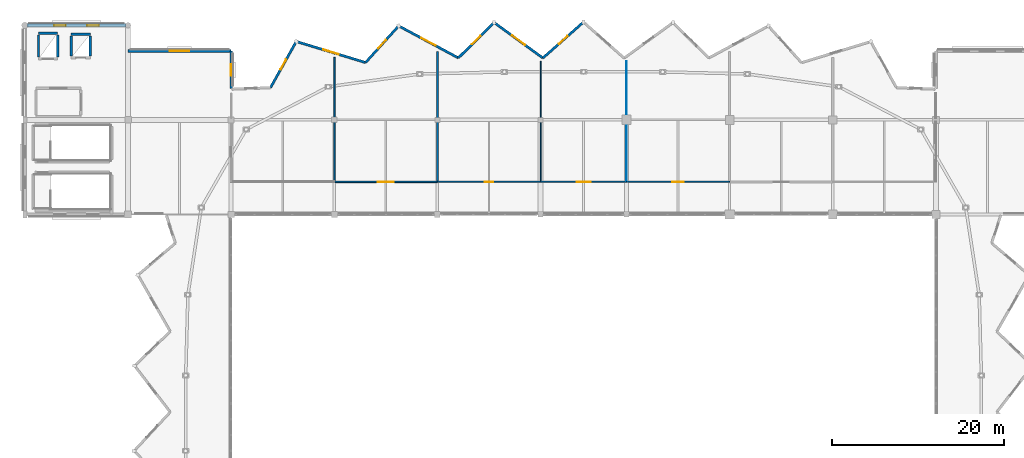
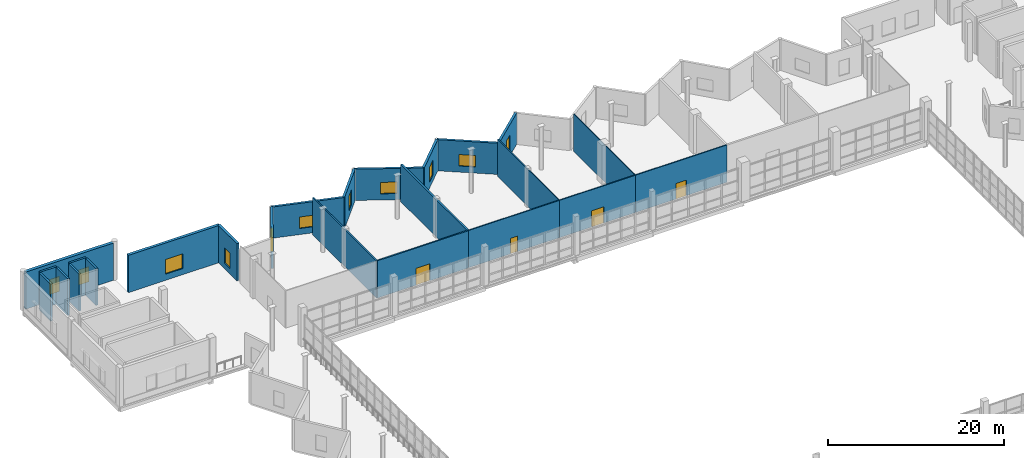
# One storey, part 42 of 49: 24 walls, 11 windows, 4 doors, 15 openings.
"""IFC4 building model written with IfcOpenShell, lengths in metres."""

from ifc_helpers import new_model, si_unit, direction, frame, frame_2d, origin, place, context, subcontext, project, spatial, rectangle, extrude, material, layer, layer_set, type_object, element, fill, save


model = new_model("IFC4")

# Units and contexts
model_context = context("Model", 3, precision=1e-05, world=origin(), true_north=direction((0.0, 1.0)))
body_context = subcontext(model_context, "Body", "Model", "MODEL_VIEW")
ifc_project = project(units=[si_unit("LENGTHUNIT", "METRE"), si_unit("AREAUNIT", "SQUARE_METRE"), si_unit("VOLUMEUNIT", "CUBIC_METRE"), si_unit("PLANEANGLEUNIT", "RADIAN"), si_unit("MASSUNIT", "GRAM", prefix="KILO")], contexts=[model_context])

# Site, building, storey
site_placement = place(None, origin())
site = spatial("IfcSite", under=ifc_project, at=site_placement, CompositionType="ELEMENT")
building_placement = place(site_placement, origin())
building = spatial("IfcBuilding", under=site, at=building_placement, Name="Luwafu Chhajja Arena", CompositionType="ELEMENT")
storey_placement = place(building_placement, frame((0.0, 0.0, 24.300048828125)))
storey = spatial("IfcBuildingStorey", under=building, at=storey_placement, Name="L05", CompositionType="ELEMENT", Elevation=24.300048828125)

# Wall
ifc_material_1 = material(Name="Concrete blockwork masonry", Category="masonry")
ifc_layer_1 = layer(ifc_material_1, 0.239990234375, Name="Concrete blockwork masonry")
ifc_layer_set_1 = layer_set([ifc_layer_1], Name="Concrete blockwork masonry")
wall_type_1 = type_object("IfcWallType", Name="Compartment Masonry Partition 240", PredefinedType="PARTITIONING", material=ifc_layer_set_1)
wall_1_placement = place(storey_placement, frame((82.0, 80.800048828125, 0.0), z_axis=(0.0, 0.0, 1.0), x_axis=(0.0, 1.0, 0.0)))
element("IfcWall", 1, at=wall_1_placement, inside=storey, type_object=wall_type_1, Name="L05 Internal Partition 0365", PredefinedType="PARTITIONING", context=body_context, shape_type="SweptSolid", body=[
    extrude(rectangle(XDim=15.184326171875, YDim=0.239990234375, at=frame_2d((7.59228515625, 0.0))), origin(), (0.0, 0.0, 1.0), 5.179931640625),
])

# Wall, opening, door
ifc_material_2 = material(Name="Lightweight blockwork partition", Category="masonry")
ifc_layer_2 = layer(ifc_material_2, 0.139892578125, Name="Lightweight blockwork partition")
ifc_layer_set_2 = layer_set([ifc_layer_2], Name="Lightweight blockwork partition")
wall_type_2 = type_object("IfcWallType", Name="Concourse Kiosk Partition 140", PredefinedType="PARTITIONING", material=ifc_layer_set_2)
wall_2_placement = place(storey_placement, frame((82.0, 80.800048828125, 0.0), z_axis=(0.0, 0.0, 1.0), x_axis=(1.0, 0.0, 0.0)))
wall_2 = element("IfcWall", 2, at=wall_2_placement, inside=storey, type_object=wall_type_2, Name="L05 Internal Partition 0352", PredefinedType="PARTITIONING", context=body_context, shape_type="SweptSolid", body=[
    extrude(rectangle(XDim=12.0, YDim=0.139892578125, at=frame_2d((6.0, 0.0))), origin(), (0.0, 0.0, 1.0), 5.179931640625),
])
opening_1_placement = place(wall_2_placement, frame((5.52001953125, 0.0, 0.0)))
opening_1 = element("IfcOpeningElement", 3, at=opening_1_placement, cuts=wall_2, Name="Opening DR-22", PredefinedType="OPENING", context=body_context, shape_type="SweptSolid", body=[
    extrude(rectangle(XDim=0.9599609375, YDim=2.14990234375, at=frame_2d((0.47998046875, 1.074951171875))), frame((0.0, 0.079833984375, 0.0), z_axis=(0.0, -1.0, 0.0), x_axis=(1.0, 0.0, 0.0)), (0.0, 0.0, 1.0), 0.159912109375),
])
ifc_material_3 = material(Name="Hardwood flush office door", Category="wood")
door_type_1 = type_object("IfcDoorType", Name="DR-22", OperationType="NOTDEFINED", PredefinedType="DOOR", material=ifc_material_3)
door_1_placement = place(opening_1_placement, origin())
door_1 = element("IfcDoor", 4, at=door_1_placement, inside=storey, type_object=door_type_1, Name="L05 Interior Door L05-D028", OperationType="SINGLE_SWING_RIGHT", OverallHeight=2.14990234375, OverallWidth=0.9599609375, PredefinedType="DOOR", context=body_context, shape_type="SweptSolid", body=[
    extrude(rectangle(XDim=0.9599609375, YDim=2.14990234375, at=frame_2d((0.47998046875, 1.074951171875))), frame((0.0, 0.02490234375, 0.0), z_axis=(0.0, -1.0, 0.0), x_axis=(1.0, 0.0, 0.0)), (0.0, 0.0, 1.0), 0.050048828125),
])
fill(opening_1, door_1)

wall_3_placement = place(storey_placement, frame((94.0, 80.800048828125, 0.0), z_axis=(0.0, 0.0, 1.0), x_axis=(1.0, 0.0, 0.0)))
wall_3 = element("IfcWall", 5, at=wall_3_placement, inside=storey, type_object=wall_type_2, Name="L05 Internal Partition 0353", PredefinedType="PARTITIONING", context=body_context, shape_type="SweptSolid", body=[
    extrude(rectangle(XDim=10.0, YDim=0.139892578125, at=frame_2d((5.0, 0.0))), origin(), (0.0, 0.0, 1.0), 5.179931640625),
])
opening_2_placement = place(wall_3_placement, frame((4.18994140625, 0.0, 0.0)))
opening_2 = element("IfcOpeningElement", 6, at=opening_2_placement, cuts=wall_3, Name="Opening DR-23", PredefinedType="OPENING", context=body_context, shape_type="SweptSolid", body=[
    extrude(rectangle(XDim=1.6201171875, YDim=2.25, at=frame_2d((0.81005859375, 1.125))), frame((0.0, 0.079833984375, 0.0), z_axis=(0.0, -1.0, 0.0), x_axis=(1.0, 0.0, 0.0)), (0.0, 0.0, 1.0), 0.159912109375),
])
ifc_material_4 = material(Name="Hardwood flush glazed double door", Category="wood")
door_type_2 = type_object("IfcDoorType", Name="DR-23", OperationType="DOUBLE_DOOR_SINGLE_SWING", PredefinedType="DOOR", material=ifc_material_4)
door_2_placement = place(opening_2_placement, origin())
door_2 = element("IfcDoor", 7, at=door_2_placement, inside=storey, type_object=door_type_2, Name="L05 Interior Door L05-D029", OperationType="DOUBLE_DOOR_SINGLE_SWING", OverallHeight=2.25, OverallWidth=1.6201171875, PredefinedType="DOOR", context=body_context, shape_type="SweptSolid", body=[
    extrude(rectangle(XDim=1.6201171875, YDim=2.25, at=frame_2d((0.81005859375, 1.125))), frame((0.0, 0.02490234375, 0.0), z_axis=(0.0, -1.0, 0.0), x_axis=(1.0, 0.0, 0.0)), (0.0, 0.0, 1.0), 0.050048828125),
])
fill(opening_2, door_2)

wall_4_placement = place(storey_placement, frame((104.0, 80.800048828125, 0.0), z_axis=(0.0, 0.0, 1.0), x_axis=(1.0, 0.0, 0.0)))
wall_4 = element("IfcWall", 8, at=wall_4_placement, inside=storey, type_object=wall_type_2, Name="L05 Internal Partition 0354", PredefinedType="PARTITIONING", context=body_context, shape_type="SweptSolid", body=[
    extrude(rectangle(XDim=12.0, YDim=0.139892578125, at=frame_2d((6.0, 0.0))), origin(), (0.0, 0.0, 1.0), 5.179931640625),
])
opening_3_placement = place(wall_4_placement, frame((5.330078125, 0.0, 0.0)))
opening_3 = element("IfcOpeningElement", 9, at=opening_3_placement, cuts=wall_4, Name="Opening DR-26", PredefinedType="OPENING", context=body_context, shape_type="SweptSolid", body=[
    extrude(rectangle(XDim=1.340087890625, YDim=2.14990234375, at=frame_2d((0.669921875, 1.074951171875))), frame((0.0, 0.079833984375, 0.0), z_axis=(0.0, -1.0, 0.0), x_axis=(1.0, 0.0, 0.0)), (0.0, 0.0, 1.0), 0.159912109375),
])
ifc_material_5 = material(Name="Hardwood service leaf", Category="wood")
door_type_3 = type_object("IfcDoorType", Name="DR-26", OperationType="NOTDEFINED", PredefinedType="DOOR", material=ifc_material_5)
door_3_placement = place(opening_3_placement, origin())
door_3 = element("IfcDoor", 10, at=door_3_placement, inside=storey, type_object=door_type_3, Name="L05 Interior Door L05-D030", OperationType="SINGLE_SWING_LEFT", OverallHeight=2.14990234375, OverallWidth=1.340087890625, PredefinedType="DOOR", context=body_context, shape_type="SweptSolid", body=[
    extrude(rectangle(XDim=1.340087890625, YDim=2.14990234375, at=frame_2d((0.669921875, 1.074951171875))), frame((0.0, 0.02490234375, 0.0), z_axis=(0.0, -1.0, 0.0), x_axis=(1.0, 0.0, 0.0)), (0.0, 0.0, 1.0), 0.050048828125),
])
fill(opening_3, door_3)

# Wall
ifc_material_6 = material(Name="Gypsum plasterboard partition")
ifc_layer_3 = layer(ifc_material_6, 0.10009765625, Name="Gypsum plasterboard partition")
ifc_layer_set_3 = layer_set([ifc_layer_3], Name="Gypsum plasterboard partition")
wall_type_3 = type_object("IfcWallType", Name="Drywall Lining Partition 100", PredefinedType="PARTITIONING", material=ifc_layer_set_3)
wall_5_placement = place(storey_placement, frame((104.0, 80.800048828125, 0.0), z_axis=(0.0, 0.0, 1.0), x_axis=(0.0, 1.0, 0.0)))
element("IfcWall", 11, at=wall_5_placement, inside=storey, type_object=wall_type_3, Name="L05 Internal Partition 0367", PredefinedType="PARTITIONING", context=body_context, shape_type="SweptSolid", body=[
    extrude(rectangle(XDim=14.015380859375, YDim=0.10009765625, at=frame_2d((7.0078125, 0.0))), origin(), (0.0, 0.0, 1.0), 5.179931640625),
])

# Wall, opening, door
ifc_layer_4 = layer(ifc_material_1, 0.179931640625, Name="Concrete blockwork masonry")
ifc_layer_set_4 = layer_set([ifc_layer_4], Name="Concrete blockwork masonry")
wall_type_4 = type_object("IfcWallType", Name="Hospitality Suite Partition 180", PredefinedType="PARTITIONING", material=ifc_layer_set_4)
wall_6_placement = place(storey_placement, frame((70.0, 80.800048828125, 0.0), z_axis=(0.0, 0.0, 1.0), x_axis=(1.0, 0.0, 0.0)))
wall_6 = element("IfcWall", 12, at=wall_6_placement, inside=storey, type_object=wall_type_4, Name="L05 Internal Partition 0351", PredefinedType="PARTITIONING", context=body_context, shape_type="SweptSolid", body=[
    extrude(rectangle(XDim=12.0, YDim=0.179931640625, at=frame_2d((6.0, 0.0))), origin(), (0.0, 0.0, 1.0), 5.179931640625),
])
opening_4_placement = place(wall_6_placement, frame((5.074951171875, 0.0, 0.0)))
opening_4 = element("IfcOpeningElement", 13, at=opening_4_placement, cuts=wall_6, Name="Opening DR-15", PredefinedType="OPENING", context=body_context, shape_type="SweptSolid", body=[
    extrude(rectangle(XDim=1.85009765625, YDim=2.35009765625, at=frame_2d((0.925048828125, 1.175048828125))), frame((0.0, 0.099853515625, 0.0), z_axis=(0.0, -1.0, 0.0), x_axis=(1.0, 0.0, 0.0)), (0.0, 0.0, 1.0), 0.199951171875),
])
ifc_material_7 = material(Name="Anodised bronze and acoustic glass", Category="glass")
door_type_4 = type_object("IfcDoorType", Name="DR-15", OperationType="DOUBLE_DOOR_SINGLE_SWING", PredefinedType="DOOR", material=ifc_material_7)
door_4_placement = place(opening_4_placement, origin())
door_4 = element("IfcDoor", 14, at=door_4_placement, inside=storey, type_object=door_type_4, Name="L05 Interior Door L05-D027", OperationType="DOUBLE_DOOR_SINGLE_SWING", OverallHeight=2.35009765625, OverallWidth=1.85009765625, PredefinedType="DOOR", context=body_context, shape_type="SweptSolid", body=[
    extrude(rectangle(XDim=1.85009765625, YDim=2.35009765625, at=frame_2d((0.925048828125, 1.175048828125))), frame((0.0, 0.02490234375, 0.0), z_axis=(0.0, -1.0, 0.0), x_axis=(1.0, 0.0, 0.0)), (0.0, 0.0, 1.0), 0.050048828125),
])
fill(opening_4, door_4)

# Walls
wall_7_placement = place(storey_placement, frame((70.0, 80.800048828125, 0.0), z_axis=(0.0, 0.0, 1.0), x_axis=(0.0, 1.0, 0.0)))
element("IfcWall", 15, at=wall_7_placement, inside=storey, type_object=wall_type_4, Name="L05 Internal Partition 0364", PredefinedType="PARTITIONING", context=body_context, shape_type="SweptSolid", body=[
    extrude(rectangle(XDim=14.48779296875, YDim=0.179931640625, at=frame_2d((7.243896484375, 0.0))), origin(), (0.0, 0.0, 1.0), 5.179931640625),
])
ifc_material_8 = material(Name="Acoustic metal-stud gypsum board")
ifc_layer_5 = layer(ifc_material_8, 0.1201171875, Name="Acoustic metal-stud gypsum board")
ifc_layer_set_5 = layer_set([ifc_layer_5], Name="Acoustic metal-stud gypsum board")
wall_type_5 = type_object("IfcWallType", Name="Internal Room Partition 120", PredefinedType="PARTITIONING", material=ifc_layer_set_5)
wall_8_placement = place(storey_placement, frame((94.0, 80.800048828125, 0.0), z_axis=(0.0, 0.0, 1.0), x_axis=(0.0, 1.0, 0.0)))
element("IfcWall", 16, at=wall_8_placement, inside=storey, type_object=wall_type_5, Name="L05 Internal Partition 0366", PredefinedType="PARTITIONING", context=body_context, shape_type="SweptSolid", body=[
    extrude(rectangle(XDim=14.015380859375, YDim=0.1201171875, at=frame_2d((7.0078125, 0.0))), origin(), (0.0, 0.0, 1.0), 5.179931640625),
])
ifc_material_9 = material(Name="Concrete C35/45", Category="concrete")
ifc_layer_6 = layer(ifc_material_9, 0.260009765625, Name="Concrete C35/45")
ifc_layer_set_6 = layer_set([ifc_layer_6], Name="Concrete C35/45")
wall_type_6 = type_object("IfcWallType", Name="Lift and Riser Shaft Wall 260", PredefinedType="SOLIDWALL", material=ifc_layer_set_6)
wall_9_placement = place(storey_placement, frame((35.590087890625, 98.0849609375, 0.0), z_axis=(0.0, 0.0, 1.0), x_axis=(1.0, 0.0, 0.0)))
element("IfcWall", 17, at=wall_9_placement, inside=storey, type_object=wall_type_6, Name="L05 Lift LF-03 Shaft Wall N", PredefinedType="SOLIDWALL", context=body_context, shape_type="SweptSolid", body=[
    extrude(rectangle(XDim=2.219970703125, YDim=0.260009765625, at=frame_2d((1.10986328125, 0.0))), origin(), (0.0, 0.0, 1.0), 5.179931640625),
])
for number, where, z_axis, x_axis, name in (
    (18, (35.590087890625, 95.31494140625, 0.0), (0.0, 0.0, 1.0), (0.0, 1.0, 0.0), "L05 Lift LF-03 Shaft Wall W"),
    (19, (37.81005859375, 95.31494140625, 0.0), (0.0, 0.0, 1.0), (0.0, 1.0, 0.0), "L05 Lift LF-03 Shaft Wall E"),
):
    element("IfcWall", number, at=place(storey_placement, frame(where, z_axis=z_axis, x_axis=x_axis)), inside=storey, type_object=wall_type_6, Name=name, PredefinedType="SOLIDWALL", context=body_context, shape_type="SweptSolid", body=[
        extrude(rectangle(XDim=2.570068359375, YDim=0.260009765625, at=frame_2d((1.28515625, 0.0))), origin(), (0.0, 0.0, 1.0), 5.179931640625),
    ])
wall_10_placement = place(storey_placement, frame((39.389892578125, 97.9599609375, 0.0), z_axis=(0.0, 0.0, 1.0), x_axis=(1.0, 0.0, 0.0)))
element("IfcWall", 20, at=wall_10_placement, inside=storey, type_object=wall_type_6, Name="L05 Lift LF-07 Shaft Wall N", PredefinedType="SOLIDWALL", context=body_context, shape_type="SweptSolid", body=[
    extrude(rectangle(XDim=2.22021484375, YDim=0.260009765625, at=frame_2d((1.110107421875, 0.0))), origin(), (0.0, 0.0, 1.0), 5.179931640625),
])
for number, where, z_axis, x_axis, name in (
    (21, (39.389892578125, 95.43994140625, 0.0), (0.0, 0.0, 1.0), (0.0, 1.0, 0.0), "L05 Lift LF-07 Shaft Wall W"),
    (22, (41.610107421875, 95.43994140625, 0.0), (0.0, 0.0, 1.0), (0.0, 1.0, 0.0), "L05 Lift LF-07 Shaft Wall E"),
):
    element("IfcWall", number, at=place(storey_placement, frame(where, z_axis=z_axis, x_axis=x_axis)), inside=storey, type_object=wall_type_6, Name=name, PredefinedType="SOLIDWALL", context=body_context, shape_type="SweptSolid", body=[
        extrude(rectangle(XDim=2.320068359375, YDim=0.260009765625, at=frame_2d((1.16015625, 0.0))), origin(), (0.0, 0.0, 1.0), 5.179931640625),
    ])

# Wall, opening, window
ifc_material_10 = material(Name="Precast concrete C40/50", Category="concrete")
ifc_layer_7 = layer(ifc_material_10, 0.2900390625, Name="Precast concrete C40/50")
ifc_layer_set_7 = layer_set([ifc_layer_7], Name="Precast concrete C40/50")
wall_type_7 = type_object("IfcWallType", Name="Pleated Bowl Upper V-Fold Wall 290", PredefinedType="USERDEFINED", material=ifc_layer_set_7)
wall_11_placement = place(storey_placement, frame((99.0, 99.39990234375, 0.0), z_axis=(0.0, 0.0, 1.0), x_axis=(-0.74844895461, -0.663192402205, 0.0)))
wall_11 = element("IfcWall", 23, at=wall_11_placement, inside=storey, type_object=wall_type_7, Name="L05 Pleated Bowl V-Fold Wall 17", ObjectType="PLEATED FACADE WALL", PredefinedType="USERDEFINED", context=body_context, shape_type="SweptSolid", body=[
    extrude(rectangle(XDim=6.317138671875, YDim=0.2900390625, at=frame_2d((3.15869140625, 0.0))), origin(), (0.0, 0.0, 1.0), 4.33984375),
])
opening_5_placement = place(wall_11_placement, frame((2.483642578125, 0.0, 0.800048828125)))
opening_5 = element("IfcOpeningElement", 24, at=opening_5_placement, cuts=wall_11, Name="Opening WN-17", PredefinedType="OPENING", context=body_context, shape_type="SweptSolid", body=[
    extrude(rectangle(XDim=1.35009765625, YDim=2.10009765625, at=frame_2d((0.675048828125, 1.050048828125))), frame((0.0, 0.155029296875, 0.0), z_axis=(0.0, -1.0, 0.0), x_axis=(1.0, 0.0, 0.0)), (0.0, 0.0, 1.0), 0.31005859375),
])
ifc_material_11 = material(Name="Solar-control laminated glass", Category="glass")
window_type_1 = type_object("IfcWindowType", Name="Exhibition Mezzanine Lancet Window 1350x2100", PartitioningType="SINGLE_PANEL", PredefinedType="WINDOW", material=ifc_material_11)
window_1_placement = place(opening_5_placement, origin())
window_1 = element("IfcWindow", 25, at=window_1_placement, inside=storey, type_object=window_type_1, Name="L05 Pleated Bowl Lancet Window 143", OverallHeight=2.10009765625, OverallWidth=1.35009765625, PartitioningType="SINGLE_PANEL", PredefinedType="WINDOW", context=body_context, shape_type="SweptSolid", body=[
    extrude(rectangle(XDim=1.35009765625, YDim=2.10009765625, at=frame_2d((0.675048828125, 1.050048828125))), frame((0.0, 0.030029296875, 0.0), z_axis=(0.0, -1.0, 0.0), x_axis=(1.0, 0.0, 0.0)), (0.0, 0.0, 1.0), 0.06005859375),
])
fill(opening_5, window_1)

wall_12_placement = place(storey_placement, frame((94.27197265625, 95.21044921875, 0.0), z_axis=(0.0, 0.0, 1.0), x_axis=(-0.808841233488, 0.588027090371, 0.0)))
wall_12 = element("IfcWall", 26, at=wall_12_placement, inside=storey, type_object=wall_type_7, Name="L05 Pleated Bowl V-Fold Wall 18", ObjectType="PLEATED FACADE WALL", PredefinedType="USERDEFINED", context=body_context, shape_type="SweptSolid", body=[
    extrude(rectangle(XDim=7.02734375, YDim=0.2900390625, at=frame_2d((3.513671875, 0.0))), origin(), (0.0, 0.0, 1.0), 4.33984375),
])
opening_6_placement = place(wall_12_placement, frame((2.563720703125, 0.0, 0.85009765625)))
opening_6 = element("IfcOpeningElement", 27, at=opening_6_placement, cuts=wall_12, Name="Opening WN-15", PredefinedType="OPENING", context=body_context, shape_type="SweptSolid", body=[
    extrude(rectangle(XDim=1.89990234375, YDim=1.60009765625, at=frame_2d((0.949951171875, 0.800048828125))), frame((0.0, 0.155029296875, 0.0), z_axis=(0.0, -1.0, 0.0), x_axis=(1.0, 0.0, 0.0)), (0.0, 0.0, 1.0), 0.31005859375),
])
window_type_2 = type_object("IfcWindowType", Name="Pleated Drum Inward-Fold Clerestory 1900x1600", PartitioningType="SINGLE_PANEL", PredefinedType="WINDOW", material=ifc_material_11)
window_2_placement = place(opening_6_placement, origin())
window_2 = element("IfcWindow", 28, at=window_2_placement, inside=storey, type_object=window_type_2, Name="L05 Pleated Bowl Lancet Window 144", OverallHeight=1.60009765625, OverallWidth=1.89990234375, PartitioningType="SINGLE_PANEL", PredefinedType="WINDOW", context=body_context, shape_type="SweptSolid", body=[
    extrude(rectangle(XDim=1.89990234375, YDim=1.60009765625, at=frame_2d((0.949951171875, 0.800048828125))), frame((0.0, 0.030029296875, 0.0), z_axis=(0.0, -1.0, 0.0), x_axis=(1.0, 0.0, 0.0)), (0.0, 0.0, 1.0), 0.06005859375),
])
fill(opening_6, window_2)

wall_13_placement = place(storey_placement, frame((88.587890625, 99.3427734375, 0.0), z_axis=(0.0, 0.0, 1.0), x_axis=(-0.710084208502, -0.704116763638, 0.0)))
wall_13 = element("IfcWall", 29, at=wall_13_placement, inside=storey, type_object=wall_type_7, Name="L05 Pleated Bowl V-Fold Wall 19", ObjectType="PLEATED FACADE WALL", PredefinedType="USERDEFINED", context=body_context, shape_type="SweptSolid", body=[
    extrude(rectangle(XDim=5.850341796875, YDim=0.2900390625, at=frame_2d((2.92529296875, 0.0))), origin(), (0.0, 0.0, 1.0), 4.33984375),
])
opening_7_placement = place(wall_13_placement, frame((2.250244140625, 0.0, 0.800048828125)))
opening_7 = element("IfcOpeningElement", 30, at=opening_7_placement, cuts=wall_13, Name="Opening WN-17", PredefinedType="OPENING", context=body_context, shape_type="SweptSolid", body=[
    extrude(rectangle(XDim=1.35009765625, YDim=2.10009765625, at=frame_2d((0.675048828125, 1.050048828125))), frame((0.0, 0.155029296875, 0.0), z_axis=(0.0, -1.0, 0.0), x_axis=(1.0, 0.0, 0.0)), (0.0, 0.0, 1.0), 0.31005859375),
])
window_3_placement = place(opening_7_placement, origin())
window_3 = element("IfcWindow", 31, at=window_3_placement, inside=storey, type_object=window_type_1, Name="L05 Pleated Bowl Lancet Window 145", OverallHeight=2.10009765625, OverallWidth=1.35009765625, PartitioningType="SINGLE_PANEL", PredefinedType="WINDOW", context=body_context, shape_type="SweptSolid", body=[
    extrude(rectangle(XDim=1.35009765625, YDim=2.10009765625, at=frame_2d((0.675048828125, 1.050048828125))), frame((0.0, 0.030029296875, 0.0), z_axis=(0.0, -1.0, 0.0), x_axis=(1.0, 0.0, 0.0)), (0.0, 0.0, 1.0), 0.06005859375),
])
fill(opening_7, window_3)

wall_14_placement = place(storey_placement, frame((84.43359375, 95.223388671875, 0.0), z_axis=(0.0, 0.0, 1.0), x_axis=(-0.881201188687, 0.472741435731, 0.0)))
wall_14 = element("IfcWall", 32, at=wall_14_placement, inside=storey, type_object=wall_type_7, Name="L05 Pleated Bowl V-Fold Wall 20", ObjectType="PLEATED FACADE WALL", PredefinedType="USERDEFINED", context=body_context, shape_type="SweptSolid", body=[
    extrude(rectangle(XDim=7.880859375, YDim=0.2900390625, at=frame_2d((3.9404296875, 0.0))), origin(), (0.0, 0.0, 1.0), 4.33984375),
])
opening_8_placement = place(wall_14_placement, frame((2.990234375, 0.0, 0.85009765625)))
opening_8 = element("IfcOpeningElement", 33, at=opening_8_placement, cuts=wall_14, Name="Opening WN-15", PredefinedType="OPENING", context=body_context, shape_type="SweptSolid", body=[
    extrude(rectangle(XDim=1.89990234375, YDim=1.60009765625, at=frame_2d((0.949951171875, 0.800048828125))), frame((0.0, 0.155029296875, 0.0), z_axis=(0.0, -1.0, 0.0), x_axis=(1.0, 0.0, 0.0)), (0.0, 0.0, 1.0), 0.31005859375),
])
window_4_placement = place(opening_8_placement, origin())
window_4 = element("IfcWindow", 34, at=window_4_placement, inside=storey, type_object=window_type_2, Name="L05 Pleated Bowl Lancet Window 146", OverallHeight=1.60009765625, OverallWidth=1.89990234375, PartitioningType="SINGLE_PANEL", PredefinedType="WINDOW", context=body_context, shape_type="SweptSolid", body=[
    extrude(rectangle(XDim=1.89990234375, YDim=1.60009765625, at=frame_2d((0.949951171875, 0.800048828125))), frame((0.0, 0.030029296875, 0.0), z_axis=(0.0, -1.0, 0.0), x_axis=(1.0, 0.0, 0.0)), (0.0, 0.0, 1.0), 0.06005859375),
])
fill(opening_8, window_4)

wall_15_placement = place(storey_placement, frame((77.489013671875, 98.948974609375, 0.0), z_axis=(0.0, 0.0, 1.0), x_axis=(-0.670348131104, -0.742046752654, 0.0)))
wall_15 = element("IfcWall", 35, at=wall_15_placement, inside=storey, type_object=wall_type_7, Name="L05 Pleated Bowl V-Fold Wall 21", ObjectType="PLEATED FACADE WALL", PredefinedType="USERDEFINED", context=body_context, shape_type="SweptSolid", body=[
    extrude(rectangle(XDim=5.747802734375, YDim=0.2900390625, at=frame_2d((2.8740234375, 0.0))), origin(), (0.0, 0.0, 1.0), 4.33984375),
])
opening_9_placement = place(wall_15_placement, frame((2.198974609375, 0.0, 0.800048828125)))
opening_9 = element("IfcOpeningElement", 36, at=opening_9_placement, cuts=wall_15, Name="Opening WN-17", PredefinedType="OPENING", context=body_context, shape_type="SweptSolid", body=[
    extrude(rectangle(XDim=1.35009765625, YDim=2.10009765625, at=frame_2d((0.675048828125, 1.050048828125))), frame((0.0, 0.155029296875, 0.0), z_axis=(0.0, -1.0, 0.0), x_axis=(1.0, 0.0, 0.0)), (0.0, 0.0, 1.0), 0.31005859375),
])
window_5_placement = place(opening_9_placement, origin())
window_5 = element("IfcWindow", 37, at=window_5_placement, inside=storey, type_object=window_type_1, Name="L05 Pleated Bowl Lancet Window 147", OverallHeight=2.10009765625, OverallWidth=1.35009765625, PartitioningType="SINGLE_PANEL", PredefinedType="WINDOW", context=body_context, shape_type="SweptSolid", body=[
    extrude(rectangle(XDim=1.35009765625, YDim=2.10009765625, at=frame_2d((0.675048828125, 1.050048828125))), frame((0.0, 0.030029296875, 0.0), z_axis=(0.0, -1.0, 0.0), x_axis=(1.0, 0.0, 0.0)), (0.0, 0.0, 1.0), 0.06005859375),
])
fill(opening_9, window_5)

wall_16_placement = place(storey_placement, frame((73.635986328125, 94.683837890625, 0.0), z_axis=(0.0, 0.0, 1.0), x_axis=(-0.956738407321, 0.290949514446, 0.0)))
wall_16 = element("IfcWall", 38, at=wall_16_placement, inside=storey, type_object=wall_type_7, Name="L05 Pleated Bowl V-Fold Wall 22", ObjectType="PLEATED FACADE WALL", PredefinedType="USERDEFINED", context=body_context, shape_type="SweptSolid", body=[
    extrude(rectangle(XDim=8.427978515625, YDim=0.2900390625, at=frame_2d((4.2138671875, 0.0))), origin(), (0.0, 0.0, 1.0), 4.33984375),
])
opening_10_placement = place(wall_16_placement, frame((3.263916015625, 0.0, 0.85009765625)))
opening_10 = element("IfcOpeningElement", 39, at=opening_10_placement, cuts=wall_16, Name="Opening WN-15", PredefinedType="OPENING", context=body_context, shape_type="SweptSolid", body=[
    extrude(rectangle(XDim=1.89990234375, YDim=1.60009765625, at=frame_2d((0.949951171875, 0.800048828125))), frame((0.0, 0.155029296875, 0.0), z_axis=(0.0, -1.0, 0.0), x_axis=(1.0, 0.0, 0.0)), (0.0, 0.0, 1.0), 0.31005859375),
])
window_6_placement = place(opening_10_placement, origin())
window_6 = element("IfcWindow", 40, at=window_6_placement, inside=storey, type_object=window_type_2, Name="L05 Pleated Bowl Lancet Window 148", OverallHeight=1.60009765625, OverallWidth=1.89990234375, PartitioningType="SINGLE_PANEL", PredefinedType="WINDOW", context=body_context, shape_type="SweptSolid", body=[
    extrude(rectangle(XDim=1.89990234375, YDim=1.60009765625, at=frame_2d((0.949951171875, 0.800048828125))), frame((0.0, 0.030029296875, 0.0), z_axis=(0.0, -1.0, 0.0), x_axis=(1.0, 0.0, 0.0)), (0.0, 0.0, 1.0), 0.06005859375),
])
fill(opening_10, window_6)

wall_17_placement = place(storey_placement, frame((65.572509765625, 97.135986328125, 0.0), z_axis=(0.0, 0.0, 1.0), x_axis=(-0.487306352228, -0.87323108, 0.0)))
wall_17 = element("IfcWall", 41, at=wall_17_placement, inside=storey, type_object=wall_type_7, Name="L05 Pleated Bowl V-Fold Wall 23", ObjectType="PLEATED FACADE WALL", PredefinedType="USERDEFINED", context=body_context, shape_type="SweptSolid", body=[
    extrude(rectangle(XDim=6.15283203125, YDim=0.2900390625, at=frame_2d((3.076416015625, 0.0))), origin(), (0.0, 0.0, 1.0), 4.33984375),
])
opening_11_placement = place(wall_17_placement, frame((2.401611328125, 0.0, 0.800048828125)))
opening_11 = element("IfcOpeningElement", 42, at=opening_11_placement, cuts=wall_17, Name="Opening WN-17", PredefinedType="OPENING", context=body_context, shape_type="SweptSolid", body=[
    extrude(rectangle(XDim=1.35009765625, YDim=2.10009765625, at=frame_2d((0.675048828125, 1.050048828125))), frame((0.0, 0.155029296875, 0.0), z_axis=(0.0, -1.0, 0.0), x_axis=(1.0, 0.0, 0.0)), (0.0, 0.0, 1.0), 0.31005859375),
])
window_7_placement = place(opening_11_placement, origin())
window_7 = element("IfcWindow", 43, at=window_7_placement, inside=storey, type_object=window_type_1, Name="L05 Pleated Bowl Lancet Window 149", OverallHeight=2.10009765625, OverallWidth=1.35009765625, PartitioningType="SINGLE_PANEL", PredefinedType="WINDOW", context=body_context, shape_type="SweptSolid", body=[
    extrude(rectangle(XDim=1.35009765625, YDim=2.10009765625, at=frame_2d((0.675048828125, 1.050048828125))), frame((0.0, 0.030029296875, 0.0), z_axis=(0.0, -1.0, 0.0), x_axis=(1.0, 0.0, 0.0)), (0.0, 0.0, 1.0), 0.06005859375),
])
fill(opening_11, window_7)

# Wall, openings, windows
ifc_material_12 = material(Name="Concrete C40/50", Category="concrete")
ifc_layer_8 = layer(ifc_material_12, 0.39990234375, Name="Concrete C40/50")
ifc_layer_set_8 = layer_set([ifc_layer_8], Name="Concrete C40/50")
wall_type_8 = type_object("IfcWallType", Name="RC Core Shear Wall 400", PredefinedType="SOLIDWALL", material=ifc_layer_set_8)
wall_18_placement = place(storey_placement, frame((34.219970703125, 99.0, 0.0), z_axis=(0.0, 0.0, 1.0), x_axis=(1.0, 0.0, 0.0)))
wall_18 = element("IfcWall", 44, at=wall_18_placement, inside=storey, type_object=wall_type_8, Name="L05 Exterior Wall WEX-L05-238", PredefinedType="SOLIDWALL", context=body_context, shape_type="SweptSolid", body=[
    extrude(rectangle(XDim=11.56005859375, YDim=0.39990234375, at=frame_2d((5.780029296875, 0.0))), origin(), (0.0, 0.0, 1.0), 5.18505859375),
])
opening_12_placement = place(wall_18_placement, frame((3.17822265625, 0.0, 0.800048828125)))
opening_12 = element("IfcOpeningElement", 45, at=opening_12_placement, cuts=wall_18, Name="Opening WN-17", PredefinedType="OPENING", context=body_context, shape_type="SweptSolid", body=[
    extrude(rectangle(XDim=1.35009765625, YDim=2.10009765625, at=frame_2d((0.675048828125, 1.050048828125))), frame((0.0, 0.2099609375, 0.0), z_axis=(0.0, -1.0, 0.0), x_axis=(1.0, 0.0, 0.0)), (0.0, 0.0, 1.0), 0.419921875),
])
opening_13_placement = place(wall_18_placement, frame((7.03173828125, 0.0, 0.800048828125)))
opening_13 = element("IfcOpeningElement", 46, at=opening_13_placement, cuts=wall_18, Name="Opening WN-17", PredefinedType="OPENING", context=body_context, shape_type="SweptSolid", body=[
    extrude(rectangle(XDim=1.35009765625, YDim=2.10009765625, at=frame_2d((0.675048828125, 1.050048828125))), frame((0.0, 0.2099609375, 0.0), z_axis=(0.0, -1.0, 0.0), x_axis=(1.0, 0.0, 0.0)), (0.0, 0.0, 1.0), 0.419921875),
])
window_8_placement = place(opening_12_placement, origin())
window_8 = element("IfcWindow", 47, at=window_8_placement, inside=storey, type_object=window_type_1, Name="L05 Facade Window 222", OverallHeight=2.10009765625, OverallWidth=1.35009765625, PartitioningType="SINGLE_PANEL", PredefinedType="WINDOW", context=body_context, shape_type="SweptSolid", body=[
    extrude(rectangle(XDim=1.35009765625, YDim=2.10009765625, at=frame_2d((0.675048828125, 1.050048828125))), frame((0.0, 0.030029296875, 0.0), z_axis=(0.0, -1.0, 0.0), x_axis=(1.0, 0.0, 0.0)), (0.0, 0.0, 1.0), 0.06005859375),
])
fill(opening_12, window_8)
window_9_placement = place(opening_13_placement, origin())
window_9 = element("IfcWindow", 48, at=window_9_placement, inside=storey, type_object=window_type_1, Name="L05 Facade Window 223", OverallHeight=2.10009765625, OverallWidth=1.35009765625, PartitioningType="SINGLE_PANEL", PredefinedType="WINDOW", context=body_context, shape_type="SweptSolid", body=[
    extrude(rectangle(XDim=1.35009765625, YDim=2.10009765625, at=frame_2d((0.675048828125, 1.050048828125))), frame((0.0, 0.030029296875, 0.0), z_axis=(0.0, -1.0, 0.0), x_axis=(1.0, 0.0, 0.0)), (0.0, 0.0, 1.0), 0.06005859375),
])
fill(opening_13, window_9)

# Wall, opening, window
ifc_layer_9 = layer(ifc_material_9, 0.320068359375, Name="Concrete C35/45")
ifc_layer_set_9 = layer_set([ifc_layer_9], Name="Concrete C35/45")
wall_type_9 = type_object("IfcWallType", Name="Sandstone Backed Exterior Wall 320", PredefinedType="SOLIDWALL", material=ifc_layer_set_9)
wall_19_placement = place(storey_placement, frame((58.0, 91.651611328125, 0.0), z_axis=(0.0, 0.0, 1.0), x_axis=(0.0, 1.0, 0.0)))
wall_19 = element("IfcWall", 49, at=wall_19_placement, inside=storey, type_object=wall_type_9, Name="L05 Exterior Wall WEX-L05-242", PredefinedType="SOLIDWALL", context=body_context, shape_type="SweptSolid", body=[
    extrude(rectangle(XDim=4.348388671875, YDim=0.320068359375, at=frame_2d((2.17431640625, 0.0))), origin(), (0.0, 0.0, 1.0), 5.18505859375),
])
opening_14_placement = place(wall_19_placement, frame((1.4990234375, 0.0, 0.800048828125)))
opening_14 = element("IfcOpeningElement", 50, at=opening_14_placement, cuts=wall_19, Name="Opening WN-17", PredefinedType="OPENING", context=body_context, shape_type="SweptSolid", body=[
    extrude(rectangle(XDim=1.35009765625, YDim=2.10009765625, at=frame_2d((0.675048828125, 1.050048828125))), frame((0.0, 0.169921875, 0.0), z_axis=(0.0, -1.0, 0.0), x_axis=(1.0, 0.0, 0.0)), (0.0, 0.0, 1.0), 0.340087890625),
])
window_10_placement = place(opening_14_placement, origin())
window_10 = element("IfcWindow", 51, at=window_10_placement, inside=storey, type_object=window_type_1, Name="L05 Facade Window 229", OverallHeight=2.10009765625, OverallWidth=1.35009765625, PartitioningType="SINGLE_PANEL", PredefinedType="WINDOW", context=body_context, shape_type="SweptSolid", body=[
    extrude(rectangle(XDim=1.35009765625, YDim=2.10009765625, at=frame_2d((0.675048828125, 1.050048828125))), frame((0.0, 0.030029296875, 0.0), z_axis=(0.0, -1.0, 0.0), x_axis=(1.0, 0.0, 0.0)), (0.0, 0.0, 1.0), 0.06005859375),
])
fill(opening_14, window_10)

ifc_layer_10 = layer(ifc_material_9, 0.360107421875, Name="Concrete C35/45")
ifc_layer_set_10 = layer_set([ifc_layer_10], Name="Concrete C35/45")
wall_type_10 = type_object("IfcWallType", Name="Sandstone Backed Exterior Wall 360", PredefinedType="SOLIDWALL", material=ifc_layer_set_10)
wall_20_placement = place(storey_placement, frame((46.0, 96.0, 0.0), z_axis=(0.0, 0.0, 1.0), x_axis=(1.0, 0.0, 0.0)))
wall_20 = element("IfcWall", 52, at=wall_20_placement, inside=storey, type_object=wall_type_10, Name="L05 Exterior Wall WEX-L05-241", PredefinedType="SOLIDWALL", context=body_context, shape_type="SweptSolid", body=[
    extrude(rectangle(XDim=12.0, YDim=0.360107421875, at=frame_2d((6.0, 0.0))), origin(), (0.0, 0.0, 1.0), 5.18505859375),
])
opening_15_placement = place(wall_20_placement, frame((4.85009765625, 0.0, 0.85009765625)))
opening_15 = element("IfcOpeningElement", 53, at=opening_15_placement, cuts=wall_20, Name="Opening WN-19", PredefinedType="OPENING", context=body_context, shape_type="SweptSolid", body=[
    extrude(rectangle(XDim=2.300048828125, YDim=2.050048828125, at=frame_2d((1.14990234375, 1.02490234375))), frame((0.0, 0.18994140625, 0.0), z_axis=(0.0, -1.0, 0.0), x_axis=(1.0, 0.0, 0.0)), (0.0, 0.0, 1.0), 0.380126953125),
])
window_type_3 = type_object("IfcWindowType", Name="Supporters Lounge Arch-Head Window 2300x2050", PartitioningType="SINGLE_PANEL", PredefinedType="WINDOW", material=ifc_material_11)
window_11_placement = place(opening_15_placement, origin())
window_11 = element("IfcWindow", 54, at=window_11_placement, inside=storey, type_object=window_type_3, Name="L05 Facade Window 228", OverallHeight=2.050048828125, OverallWidth=2.300048828125, PartitioningType="SINGLE_PANEL", PredefinedType="WINDOW", context=body_context, shape_type="SweptSolid", body=[
    extrude(rectangle(XDim=2.300048828125, YDim=2.050048828125, at=frame_2d((1.14990234375, 1.02490234375))), frame((0.0, 0.030029296875, 0.0), z_axis=(0.0, -1.0, 0.0), x_axis=(1.0, 0.0, 0.0)), (0.0, 0.0, 1.0), 0.06005859375),
])
fill(opening_15, window_11)

save(model, "model.ifc")
